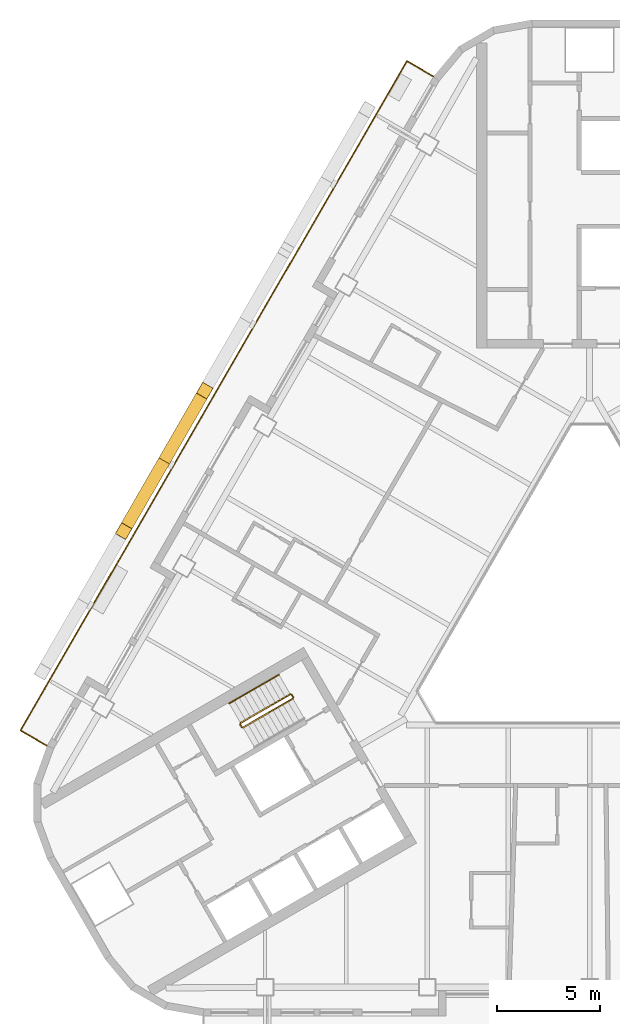
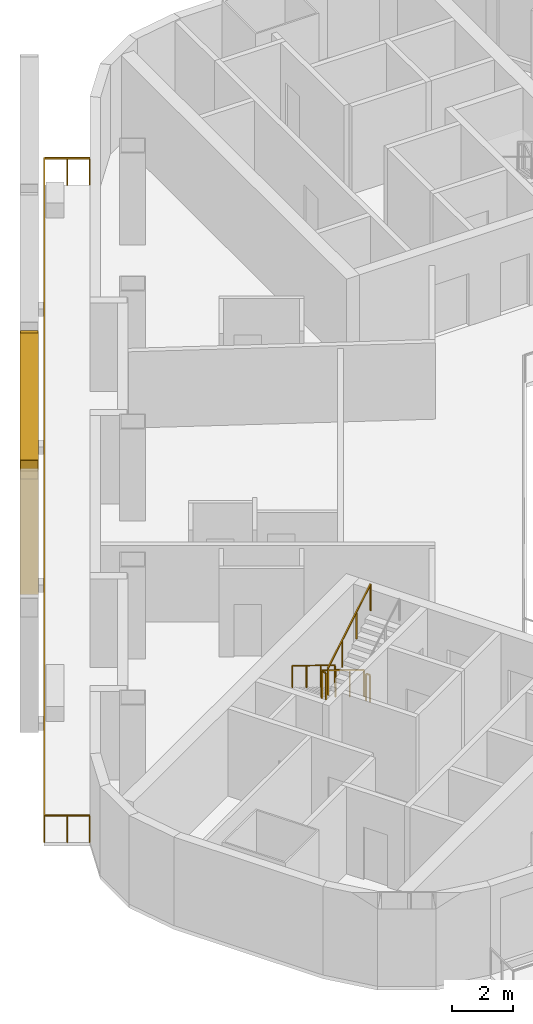
# One storey, part 10 of 14: 6 railings, 2 shading devices.
"""IFC4 building model written with IfcOpenShell, lengths in metres."""

from ifc_helpers import new_model, si_unit, direction, frame, origin, origin_2d, place, context, subcontext, project, spatial, rectangle, hollow_rectangle, circle, extrude, material, material_profile, profile_set, type_object, element, save


model = new_model("IFC4")

# Units and contexts
model_context = context("Model", 3, precision=1e-05, world=origin(), true_north=direction((0.0, 1.0)))
body_context = subcontext(model_context, "Body", "Model", "MODEL_VIEW")
ifc_project = project(units=[si_unit("LENGTHUNIT", "METRE"), si_unit("AREAUNIT", "SQUARE_METRE"), si_unit("VOLUMEUNIT", "CUBIC_METRE"), si_unit("PLANEANGLEUNIT", "RADIAN"), si_unit("MASSUNIT", "GRAM", prefix="KILO")], contexts=[model_context])

# Site, building, storey
site_placement = place(None, origin())
site = spatial("IfcSite", under=ifc_project, at=site_placement, CompositionType="ELEMENT")
building_placement = place(site_placement, origin())
building = spatial("IfcBuilding", under=site, at=building_placement, Name="Apuvela Tower Hotel", CompositionType="ELEMENT")
storey_placement = place(building_placement, frame((0.0, 0.0, 168.800048828125)))
storey = spatial("IfcBuildingStorey", under=building, at=storey_placement, Name="L40", CompositionType="ELEMENT", Elevation=168.800048828125)

# Railings
ifc_material_1 = material(Name="Steel S275 balustrade", Category="steel")
railing_type_1 = type_object("IfcRailingType", Name="COR-GUARD-1100", PredefinedType="GUARDRAIL", material=ifc_material_1)
railing_1_placement = place(storey_placement, frame((-14.569091796875, -3.9658203125, 0.168212890625)))
element("IfcRailing", 1, at=railing_1_placement, inside=storey, type_object=railing_type_1, Name="L40 ST2 stair guard 1", PredefinedType="GUARDRAIL", context=body_context, shape_type="SweptSolid", body=[
    extrude(rectangle(XDim=0.048095703125, YDim=0.048095703125, at=origin_2d()), frame((0.0, 0.0, 1.076171875), z_axis=(-0.74241905619, -0.428617687091, 0.514879426), x_axis=(0.49998411664, -0.866034573852, 0.0)), (0.0, 0.0, 1.0), 3.26611328125),
    extrude(rectangle(XDim=0.0419921875, YDim=0.0419921875, at=origin_2d()), origin(), (0.0, 0.0, 1.0), 1.052001953125),
    extrude(rectangle(XDim=0.0419921875, YDim=0.0419921875, at=origin_2d()), frame((-0.808349609375, -0.466552734375, 0.560546875)), (0.0, 0.0, 1.0), 1.052001953125),
    extrude(rectangle(XDim=0.0419921875, YDim=0.0419921875, at=origin_2d()), frame((-1.616455078125, -0.933349609375, 1.12109375)), (0.0, 0.0, 1.0), 1.052001953125),
    extrude(rectangle(XDim=0.0419921875, YDim=0.0419921875, at=origin_2d()), frame((-2.4248046875, -1.39990234375, 1.681640625)), (0.0, 0.0, 1.0), 1.052001953125),
])
railing_2_placement = place(storey_placement, frame((-17.01220703125, -5.43408203125, 1.849853515625)))
element("IfcRailing", 2, at=railing_2_placement, inside=storey, type_object=railing_type_1, Name="L40 ST2 stair guard 2", PredefinedType="GUARDRAIL", context=body_context, shape_type="SweptSolid", body=[
    extrude(rectangle(XDim=0.048095703125, YDim=0.048095703125, at=origin_2d()), frame((0.0, 0.0, 1.076171875), z_axis=(0.499816412211, -0.866131372301, 0.0), x_axis=(0.866131372301, 0.499816412211, 0.0)), (0.0, 0.0, 1.0), 0.14990234375),
    extrude(rectangle(XDim=0.0419921875, YDim=0.0419921875, at=origin_2d()), origin(), (0.0, 0.0, 1.0), 1.052001953125),
    extrude(rectangle(XDim=0.0419921875, YDim=0.0419921875, at=origin_2d()), frame((0.074951171875, -0.1298828125, 0.0)), (0.0, 0.0, 1.0), 1.052001953125),
])
railing_3_placement = place(storey_placement, frame((-16.868896484375, -5.582275390625, 2.01806640625)))
element("IfcRailing", 3, at=railing_3_placement, inside=storey, type_object=railing_type_1, Name="L40 ST2 stair guard 3", PredefinedType="GUARDRAIL", context=body_context, shape_type="SweptSolid", body=[
    extrude(rectangle(XDim=0.048095703125, YDim=0.048095703125, at=origin_2d()), frame((0.0, 0.0, 1.076171875), z_axis=(0.742390482028, 0.42860119049, 0.514934356695), x_axis=(-0.49998411664, 0.866034573852, 0.0)), (0.0, 0.0, 1.0), 3.26611328125),
    extrude(rectangle(XDim=0.0419921875, YDim=0.0419921875, at=origin_2d()), origin(), (0.0, 0.0, 1.0), 1.052001953125),
    extrude(rectangle(XDim=0.0419921875, YDim=0.0419921875, at=origin_2d()), frame((0.808349609375, 0.466552734375, 0.560546875)), (0.0, 0.0, 1.0), 1.052001953125),
    extrude(rectangle(XDim=0.0419921875, YDim=0.0419921875, at=origin_2d()), frame((1.616455078125, 0.933349609375, 1.121337890625)), (0.0, 0.0, 1.0), 1.052001953125),
    extrude(rectangle(XDim=0.0419921875, YDim=0.0419921875, at=origin_2d()), frame((2.4248046875, 1.39990234375, 1.681884765625)), (0.0, 0.0, 1.0), 1.052001953125),
])
railing_4_placement = place(storey_placement, frame((-14.500732421875, -3.984130859375, 0.0)))
element("IfcRailing", 4, at=railing_4_placement, inside=storey, type_object=railing_type_1, Name="L40 ST2 stair guard 4", PredefinedType="GUARDRAIL", context=body_context, shape_type="SweptSolid", body=[
    extrude(rectangle(XDim=0.048095703125, YDim=0.048095703125, at=origin_2d()), frame((0.0, 0.0, 1.076171875), z_axis=(0.499816412211, -0.866131372301, 0.0), x_axis=(0.866131372301, 0.499816412211, 0.0)), (0.0, 0.0, 1.0), 0.14990234375),
    extrude(rectangle(XDim=0.0419921875, YDim=0.0419921875, at=origin_2d()), origin(), (0.0, 0.0, 1.0), 1.052001953125),
    extrude(rectangle(XDim=0.0419921875, YDim=0.0419921875, at=origin_2d()), frame((0.074951171875, -0.1298828125, 0.0)), (0.0, 0.0, 1.0), 1.052001953125),
])
ifc_material_2 = material(Name="Stainless steel 316 handrail", Category="steel")
railing_type_2 = type_object("IfcRailingType", Name="COR-HANDRAIL-900", PredefinedType="HANDRAIL", material=ifc_material_2)
railing_5_placement = place(storey_placement, frame((-15.118896484375, -3.01318359375, 0.168212890625)))
element("IfcRailing", 5, at=railing_5_placement, inside=storey, type_object=railing_type_2, Name="L40 ST2 stair handrail 1", PredefinedType="HANDRAIL", context=body_context, shape_type="SweptSolid", body=[
    extrude(circle(Radius=0.02392578125, at=origin_2d()), frame((0.0, 0.0, 0.8759765625), z_axis=(-0.742452602333, -0.428593901316, 0.514850853203), x_axis=(0.49994636267, -0.866056369097, 0.0)), (0.0, 0.0, 1.0), 3.266357421875),
    extrude(rectangle(XDim=0.0419921875, YDim=0.0419921875, at=origin_2d()), origin(), (0.0, 0.0, 1.0), 0.851806640625),
    extrude(rectangle(XDim=0.0419921875, YDim=0.0419921875, at=origin_2d()), frame((-0.808349609375, -0.466552734375, 0.560546875)), (0.0, 0.0, 1.0), 0.851806640625),
    extrude(rectangle(XDim=0.0419921875, YDim=0.0419921875, at=origin_2d()), frame((-1.61669921875, -0.933349609375, 1.12109375)), (0.0, 0.0, 1.0), 0.851806640625),
    extrude(rectangle(XDim=0.0419921875, YDim=0.0419921875, at=origin_2d()), frame((-2.425048828125, -1.39990234375, 1.681640625)), (0.0, 0.0, 1.0), 0.851806640625),
])

# Shading devices
ifc_material_3 = material(Name="Aluminium 6063-T6, black anodised", Category="aluminium")
ifc_material_profile = material_profile(ifc_material_3, hollow_rectangle(XDim=0.60009765625, YDim=0.699951171875, WallThickness=0.011962890625, at=origin_2d()), Name="AL BOX 700x600x12")
ifc_profile_set = profile_set([ifc_material_profile], Name="Aluminium 6063-T6, black anodised")
shading_device_type = type_object("IfcShadingDeviceType", Name="ENV-FIN-700x600", PredefinedType="USERDEFINED", material=ifc_profile_set)
shading_device_1_placement = place(storey_placement, frame((-20.70703125, 7.394287109375, -0.10009765625), z_axis=(0.235430342887, 0.407790151341, 0.882201647084), x_axis=(-0.866032218625, 0.499988196164, 0.0)))
element("IfcShadingDevice", 6, at=shading_device_1_placement, inside=storey, type_object=shading_device_type, Name="Lattice fin NW413", ObjectType="FIN", PredefinedType="USERDEFINED", context=body_context, shape_type="SweptSolid", body=[
    extrude(hollow_rectangle(XDim=0.60009765625, YDim=0.699951171875, WallThickness=0.011962890625, at=origin_2d()), origin(), (0.0, 0.0, 1.0), 8.38818359375),
])
shading_device_2_placement = place(storey_placement, frame((-20.70703125, 7.394287109375, -0.10009765625), z_axis=(-0.235455039791, -0.407811621453, 0.882185131163), x_axis=(0.866020906874, -0.500007788796, 0.0)))
element("IfcShadingDevice", 7, at=shading_device_2_placement, inside=storey, type_object=shading_device_type, Name="Lattice fin NW414", ObjectType="FIN", PredefinedType="USERDEFINED", context=body_context, shape_type="SweptSolid", body=[
    extrude(hollow_rectangle(XDim=0.60009765625, YDim=0.699951171875, WallThickness=0.011962890625, at=origin_2d()), origin(), (0.0, 0.0, 1.0), 8.388427734375),
])

# Railing
ifc_material_4 = material(Name="Stainless steel 316 rail with laminated glass infill", Category="steel")
railing_type_3 = type_object("IfcRailingType", Name="ENV-GUARD-1100", PredefinedType="GUARDRAIL", material=ifc_material_4)
railing_6_placement = place(storey_placement, frame((-7.59228515625, 26.110107421875, 0.0)))
element("IfcRailing", 8, at=railing_6_placement, inside=storey, type_object=railing_type_3, Name="Balcony guard NW L40", PredefinedType="GUARDRAIL", context=body_context, shape_type="SweptSolid", body=[
    extrude(rectangle(XDim=0.050048828125, YDim=0.050048828125, at=origin_2d()), frame((0.0, 0.0, 1.0751953125), z_axis=(-0.86599040064, 0.500060622324, 0.0), x_axis=(-0.500060622324, -0.86599040064, 0.0)), (0.0, 0.0, 1.0), 1.499755859375),
    extrude(rectangle(XDim=0.050048828125, YDim=0.050048828125, at=origin_2d()), frame((-1.298828125, 0.75, 1.0751953125), z_axis=(-0.500000437506, -0.86602515119, 0.0), x_axis=(0.86602515119, -0.500000437506, 0.0)), (0.0, 0.0, 1.0), 37.6318359375),
    extrude(rectangle(XDim=0.050048828125, YDim=0.050048828125, at=origin_2d()), frame((-20.11474609375, -31.840087890625, 1.0751953125), z_axis=(0.866031096941, -0.499990139034, 0.0), x_axis=(0.499990139034, 0.866031096941, 0.0)), (0.0, 0.0, 1.0), 1.5),
    extrude(rectangle(XDim=0.0400390625, YDim=0.0400390625, at=origin_2d()), origin(), (0.0, 0.0, 1.0), 1.050048828125),
    extrude(rectangle(XDim=0.0400390625, YDim=0.0400390625, at=origin_2d()), frame((-0.6494140625, 0.375, 0.0)), (0.0, 0.0, 1.0), 1.050048828125),
    extrude(rectangle(XDim=0.0400390625, YDim=0.0400390625, at=origin_2d()), frame((-1.298828125, 0.75, 0.0)), (0.0, 0.0, 1.0), 1.050048828125),
    extrude(rectangle(XDim=0.0400390625, YDim=0.0400390625, at=origin_2d()), frame((-1.88671875, -0.2685546875, 0.0)), (0.0, 0.0, 1.0), 1.050048828125),
    extrude(rectangle(XDim=0.0400390625, YDim=0.0400390625, at=origin_2d()), frame((-2.474853515625, -1.286865234375, 0.0)), (0.0, 0.0, 1.0), 1.050048828125),
    extrude(rectangle(XDim=0.0400390625, YDim=0.0400390625, at=origin_2d()), frame((-3.062744140625, -2.305419921875, 0.0)), (0.0, 0.0, 1.0), 1.050048828125),
    extrude(rectangle(XDim=0.0400390625, YDim=0.0400390625, at=origin_2d()), frame((-3.65087890625, -3.32373046875, 0.0)), (0.0, 0.0, 1.0), 1.050048828125),
    extrude(rectangle(XDim=0.0400390625, YDim=0.0400390625, at=origin_2d()), frame((-4.23876953125, -4.34228515625, 0.0)), (0.0, 0.0, 1.0), 1.050048828125),
    extrude(rectangle(XDim=0.0400390625, YDim=0.0400390625, at=origin_2d()), frame((-4.826904296875, -5.360595703125, 0.0)), (0.0, 0.0, 1.0), 1.050048828125),
    extrude(rectangle(XDim=0.0400390625, YDim=0.0400390625, at=origin_2d()), frame((-5.414794921875, -6.379150390625, 0.0)), (0.0, 0.0, 1.0), 1.050048828125),
    extrude(rectangle(XDim=0.0400390625, YDim=0.0400390625, at=origin_2d()), frame((-6.0029296875, -7.3974609375, 0.0)), (0.0, 0.0, 1.0), 1.050048828125),
    extrude(rectangle(XDim=0.0400390625, YDim=0.0400390625, at=origin_2d()), frame((-6.5908203125, -8.416015625, 0.0)), (0.0, 0.0, 1.0), 1.050048828125),
    extrude(rectangle(XDim=0.0400390625, YDim=0.0400390625, at=origin_2d()), frame((-7.1787109375, -9.434326171875, 0.0)), (0.0, 0.0, 1.0), 1.050048828125),
    extrude(rectangle(XDim=0.0400390625, YDim=0.0400390625, at=origin_2d()), frame((-7.766845703125, -10.452880859375, 0.0)), (0.0, 0.0, 1.0), 1.050048828125),
    extrude(rectangle(XDim=0.0400390625, YDim=0.0400390625, at=origin_2d()), frame((-8.354736328125, -11.47119140625, 0.0)), (0.0, 0.0, 1.0), 1.050048828125),
    extrude(rectangle(XDim=0.0400390625, YDim=0.0400390625, at=origin_2d()), frame((-8.94287109375, -12.48974609375, 0.0)), (0.0, 0.0, 1.0), 1.050048828125),
    extrude(rectangle(XDim=0.0400390625, YDim=0.0400390625, at=origin_2d()), frame((-9.53076171875, -13.508056640625, 0.0)), (0.0, 0.0, 1.0), 1.050048828125),
    extrude(rectangle(XDim=0.0400390625, YDim=0.0400390625, at=origin_2d()), frame((-10.118896484375, -14.526611328125, 0.0)), (0.0, 0.0, 1.0), 1.050048828125),
    extrude(rectangle(XDim=0.0400390625, YDim=0.0400390625, at=origin_2d()), frame((-10.706787109375, -15.544921875, 0.0)), (0.0, 0.0, 1.0), 1.050048828125),
    extrude(rectangle(XDim=0.0400390625, YDim=0.0400390625, at=origin_2d()), frame((-11.294677734375, -16.5634765625, 0.0)), (0.0, 0.0, 1.0), 1.050048828125),
    extrude(rectangle(XDim=0.0400390625, YDim=0.0400390625, at=origin_2d()), frame((-11.8828125, -17.58203125, 0.0)), (0.0, 0.0, 1.0), 1.050048828125),
    extrude(rectangle(XDim=0.0400390625, YDim=0.0400390625, at=origin_2d()), frame((-12.470703125, -18.600341796875, 0.0)), (0.0, 0.0, 1.0), 1.050048828125),
    extrude(rectangle(XDim=0.0400390625, YDim=0.0400390625, at=origin_2d()), frame((-13.058837890625, -19.618896484375, 0.0)), (0.0, 0.0, 1.0), 1.050048828125),
    extrude(rectangle(XDim=0.0400390625, YDim=0.0400390625, at=origin_2d()), frame((-13.646728515625, -20.63720703125, 0.0)), (0.0, 0.0, 1.0), 1.050048828125),
    extrude(rectangle(XDim=0.0400390625, YDim=0.0400390625, at=origin_2d()), frame((-14.23486328125, -21.65576171875, 0.0)), (0.0, 0.0, 1.0), 1.050048828125),
    extrude(rectangle(XDim=0.0400390625, YDim=0.0400390625, at=origin_2d()), frame((-14.82275390625, -22.674072265625, 0.0)), (0.0, 0.0, 1.0), 1.050048828125),
    extrude(rectangle(XDim=0.0400390625, YDim=0.0400390625, at=origin_2d()), frame((-15.41064453125, -23.692626953125, 0.0)), (0.0, 0.0, 1.0), 1.050048828125),
    extrude(rectangle(XDim=0.0400390625, YDim=0.0400390625, at=origin_2d()), frame((-15.998779296875, -24.7109375, 0.0)), (0.0, 0.0, 1.0), 1.050048828125),
    extrude(rectangle(XDim=0.0400390625, YDim=0.0400390625, at=origin_2d()), frame((-16.586669921875, -25.7294921875, 0.0)), (0.0, 0.0, 1.0), 1.050048828125),
    extrude(rectangle(XDim=0.0400390625, YDim=0.0400390625, at=origin_2d()), frame((-17.1748046875, -26.747802734375, 0.0)), (0.0, 0.0, 1.0), 1.050048828125),
    extrude(rectangle(XDim=0.0400390625, YDim=0.0400390625, at=origin_2d()), frame((-17.7626953125, -27.766357421875, 0.0)), (0.0, 0.0, 1.0), 1.050048828125),
    extrude(rectangle(XDim=0.0400390625, YDim=0.0400390625, at=origin_2d()), frame((-18.350830078125, -28.78466796875, 0.0)), (0.0, 0.0, 1.0), 1.050048828125),
    extrude(rectangle(XDim=0.0400390625, YDim=0.0400390625, at=origin_2d()), frame((-18.938720703125, -29.80322265625, 0.0)), (0.0, 0.0, 1.0), 1.050048828125),
    extrude(rectangle(XDim=0.0400390625, YDim=0.0400390625, at=origin_2d()), frame((-19.52685546875, -30.821533203125, 0.0)), (0.0, 0.0, 1.0), 1.050048828125),
    extrude(rectangle(XDim=0.0400390625, YDim=0.0400390625, at=origin_2d()), frame((-20.11474609375, -31.840087890625, 0.0)), (0.0, 0.0, 1.0), 1.050048828125),
    extrude(rectangle(XDim=0.0400390625, YDim=0.0400390625, at=origin_2d()), frame((-19.46533203125, -32.215087890625, 0.0)), (0.0, 0.0, 1.0), 1.050048828125),
    extrude(rectangle(XDim=0.0400390625, YDim=0.0400390625, at=origin_2d()), frame((-18.815673828125, -32.590087890625, 0.0)), (0.0, 0.0, 1.0), 1.050048828125),
])

save(model, "model.ifc")
